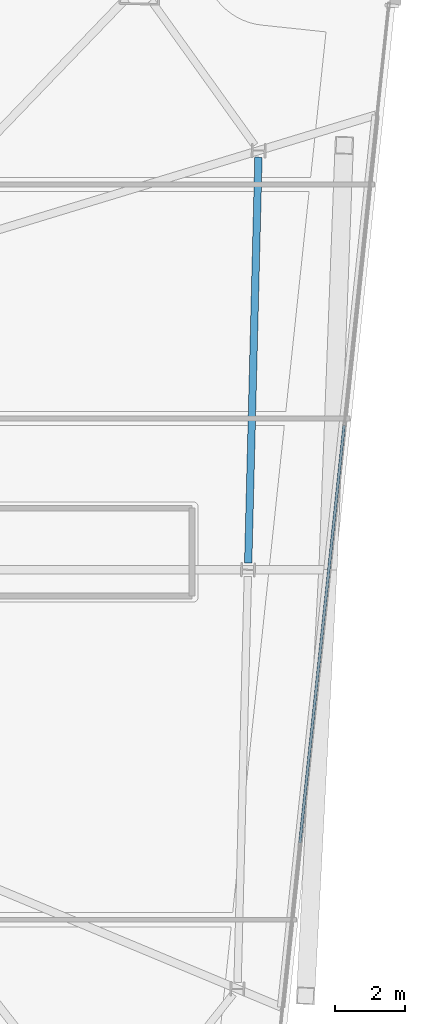
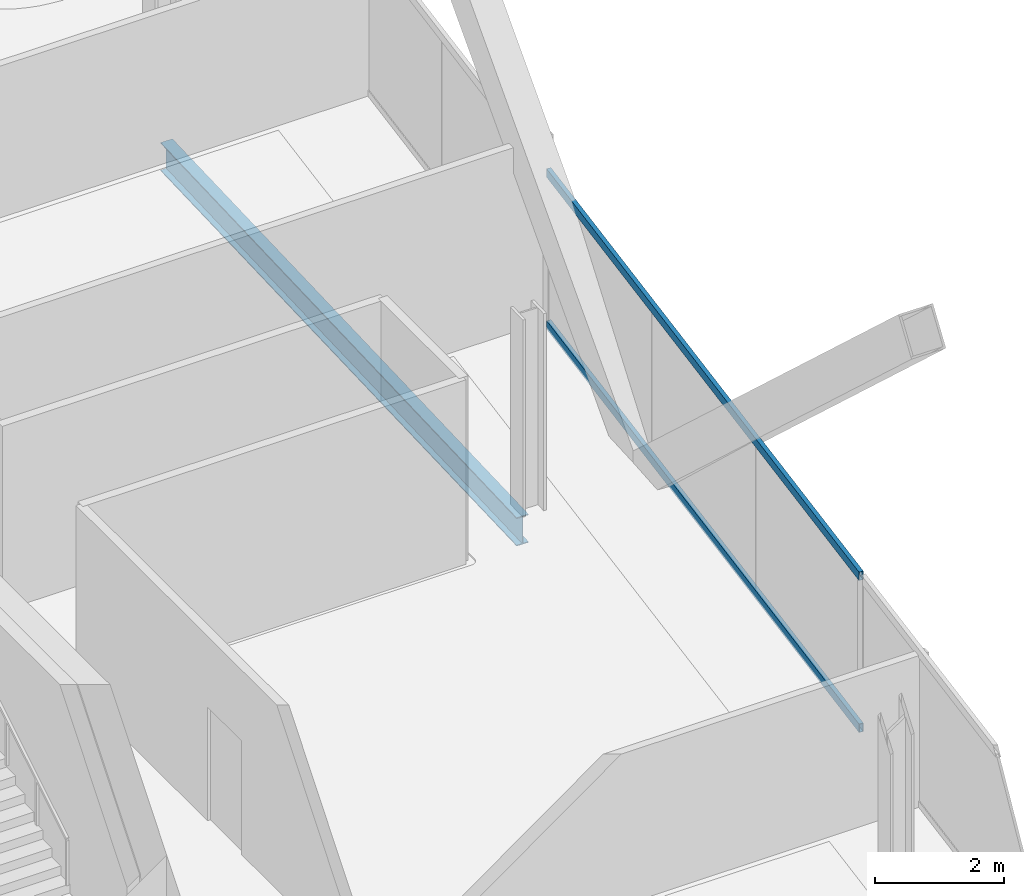
# One storey, part 10 of 24: 2 members, 1 beam, 1 element without a shape of its own.
"""IFC4 building model written with IfcOpenShell, lengths in metres."""

from ifc_helpers import new_model, si_unit, direction, frame, origin, origin_2d, place, context, subcontext, project, spatial, hollow_rectangle, i_section, extrude, material, material_profile, profile_set, type_object, element, aggregate, save


model = new_model("IFC4")

# Units and contexts
model_context = context("Model", 3, precision=1e-05, world=origin(), true_north=direction((0.0, 1.0)))
body_context = subcontext(model_context, "Body", "Model", "MODEL_VIEW")
ifc_project = project(units=[si_unit("LENGTHUNIT", "METRE"), si_unit("AREAUNIT", "SQUARE_METRE"), si_unit("VOLUMEUNIT", "CUBIC_METRE"), si_unit("PLANEANGLEUNIT", "RADIAN"), si_unit("MASSUNIT", "GRAM", prefix="KILO")], contexts=[model_context])

# Site, building, storey
site_placement = place(None, origin())
site = spatial("IfcSite", under=ifc_project, at=site_placement, CompositionType="ELEMENT")
building_placement = place(site_placement, origin())
building = spatial("IfcBuilding", under=site, at=building_placement, Name="Haldenkirk Collegiate Tower", CompositionType="ELEMENT")
storey_placement = place(building_placement, frame((0.0, 0.0, 310.199951171875)))
storey = spatial("IfcBuildingStorey", under=building, at=storey_placement, Name="L78", CompositionType="ELEMENT", Elevation=310.199951171875)

# Beam
ifc_material_1 = material(Name="Steel ASTM A992 Grade 50", Category="steel")
ifc_material_profile_1 = material_profile(ifc_material_1, i_section(OverallWidth=0.2099609375, OverallDepth=0.537109375, WebThickness=0.010986328125, FlangeThickness=0.017333984375, at=origin_2d()), Name="W21X68")
ifc_profile_set_1 = profile_set([ifc_material_profile_1], Name="Steel ASTM A992 Grade 50")
beam_type = type_object("IfcBeamType", Name="BM-SPANDREL-W21X68", PredefinedType="SPANDREL", material=ifc_profile_set_1)
beam_placement = place(storey_placement, frame((55.8984375, 25.684326171875, -0.528564453125), z_axis=(0.025302458902, 0.999679841536, 0.0), x_axis=(-0.999679841536, 0.025302458902, 0.0)))
element("IfcBeam", 1, at=beam_placement, inside=storey, type_object=beam_type, Name="L78 perimeter spandrel beam 03", PredefinedType="SPANDREL", context=body_context, shape_type="SweptSolid", body=[
    extrude(i_section(OverallWidth=0.2099609375, OverallDepth=0.537109375, WebThickness=0.010986328125, FlangeThickness=0.017333984375, at=origin_2d()), origin(), (0.0, 0.0, 1.0), 11.5400390625),
])

# Curtain wall, members
ifc_material_2 = material(Name="Anodised architectural bronze aluminium", Category="aluminium")
curtain_wall_type = type_object("IfcCurtainWallType", Name="CW-SYS2-CONCAVE", PredefinedType="USERDEFINED", material=ifc_material_2)
curtain_wall_placement = place(storey_placement, origin())
curtain_wall = element("IfcCurtainWall", 2, at=curtain_wall_placement, inside=storey, type_object=curtain_wall_type, Name="L78 South concave recessed bronze-anodised curtain wall", ObjectType="UNITISED CURTAIN WALL", PredefinedType="USERDEFINED")
ifc_material_profile_2 = material_profile(ifc_material_2, hollow_rectangle(XDim=0.074951171875, YDim=0.159912109375, WallThickness=0.0048828125, at=origin_2d()), Name="CW-TRN-02")
ifc_profile_set_2 = profile_set([ifc_material_profile_2], Name="Anodised architectural bronze aluminium")
member_type = type_object("IfcMemberType", Name="CW-TRN-02", PredefinedType="USERDEFINED", material=ifc_profile_set_2)
member_1_placement = place(storey_placement, frame((58.625244140625, 29.597900390625, 0.03759765625), z_axis=(-0.105394522676, -0.99443048756, 0.0), x_axis=(0.99443048756, -0.105394522676, 0.0)))
member_1 = element("IfcMember", 3, at=member_1_placement, type_object=member_type, Name="CW-02 transom 2.1", ObjectType="TRANSOM", PredefinedType="USERDEFINED", context=body_context, shape_type="SweptSolid", body=[
    extrude(hollow_rectangle(XDim=0.074951171875, YDim=0.159912109375, WallThickness=0.0048828125, at=origin_2d()), origin(), (0.0, 0.0, 1.0), 11.925048828125),
])
member_2_placement = place(storey_placement, frame((58.625244140625, 29.597900390625, 2.91064453125), z_axis=(-0.105394522676, -0.99443048756, 0.0), x_axis=(0.99443048756, -0.105394522676, 0.0)))
member_2 = element("IfcMember", 4, at=member_2_placement, type_object=member_type, Name="CW-02 transom 2.2", ObjectType="TRANSOM", PredefinedType="USERDEFINED", context=body_context, shape_type="SweptSolid", body=[
    extrude(hollow_rectangle(XDim=0.074951171875, YDim=0.159912109375, WallThickness=0.0048828125, at=origin_2d()), origin(), (0.0, 0.0, 1.0), 11.925048828125),
])
aggregate(curtain_wall, [member_1, member_2])

save(model, "model.ifc")
